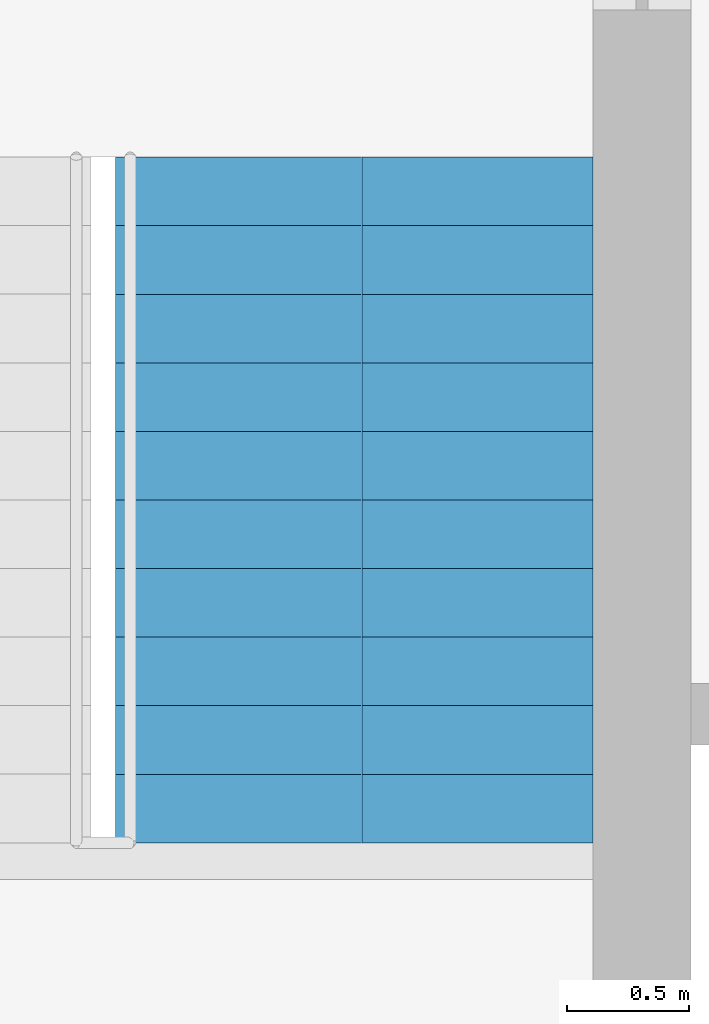
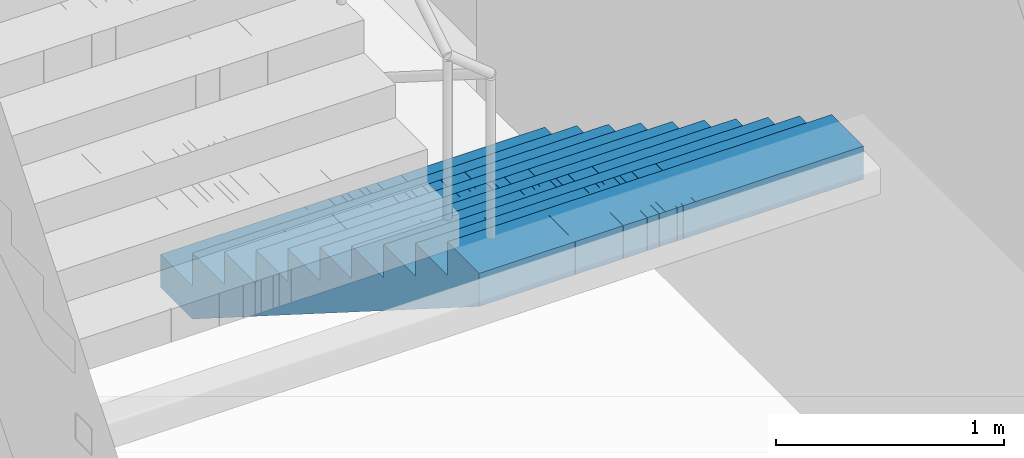
# One storey, part 19 of 20: 1 stair flight, 1 element without a shape of its own.
"""IFC4 building model written with IfcOpenShell, lengths in metres."""

from ifc_helpers import new_model, si_unit, direction, frame, origin, place, context, subcontext, project, spatial, polyline, outline, extrude, material, type_object, element, aggregate, save


model = new_model("IFC4")

# Units and contexts
model_context = context("Model", 3, precision=1e-05, world=origin(), true_north=direction((0.0, 1.0)))
body_context = subcontext(model_context, "Body", "Model", "MODEL_VIEW")
ifc_project = project(units=[si_unit("LENGTHUNIT", "METRE"), si_unit("AREAUNIT", "SQUARE_METRE"), si_unit("VOLUMEUNIT", "CUBIC_METRE"), si_unit("PLANEANGLEUNIT", "RADIAN"), si_unit("MASSUNIT", "GRAM", prefix="KILO")], contexts=[model_context])

# Site, building, storey
site_placement = place(None, origin())
site = spatial("IfcSite", under=ifc_project, at=site_placement, CompositionType="ELEMENT")
building_placement = place(site_placement, origin())
building = spatial("IfcBuilding", under=site, at=building_placement, Name="Mizan Broadcast Tower", CompositionType="ELEMENT")
storey_placement = place(building_placement, frame((0.0, 0.0, 174.89990234375)))
storey = spatial("IfcBuildingStorey", under=building, at=storey_placement, Name="L40", CompositionType="ELEMENT", Elevation=174.89990234375)

# Stair, stair flight
ifc_material_1 = material(Name="Concrete C40/50", Category="concrete")
stair_type = type_object("IfcStairType", Name="EXIT STAIR", PredefinedType="HALF_TURN_STAIR", material=ifc_material_1)
stair_placement = place(storey_placement, origin())
stair = element("IfcStair", 1, at=stair_placement, inside=storey, type_object=stair_type, Name="Stair B L40", PredefinedType="HALF_TURN_STAIR")
ifc_material_2 = material(Name="Concrete C40/50", Category="concrete")
stair_flight_type = type_object("IfcStairFlightType", Name="EXIT STAIR FLIGHT", PredefinedType="STRAIGHT", material=ifc_material_2)
stair_flight_placement = place(storey_placement, frame((1.02490234375, 7.89990234375, 0.0), z_axis=(0.0, 0.0, 1.0), x_axis=(0.0, -1.0, 0.0)))
stair_flight = element("IfcStairFlight", 2, at=stair_flight_placement, type_object=stair_flight_type, Name="B flight 1", NumberOfRisers=11, NumberOfTreads=10, PredefinedType="STRAIGHT", RiserHeight=0.177272727, TreadLength=0.28, context=body_context, shape_type="SweptSolid", body=[
    extrude(outline(polyline([(0.0, 0.0), (0.0, 0.17724609375), (0.280029296875, 0.17724609375), (0.280029296875, 0.3544921875), (0.56005859375, 0.3544921875), (0.56005859375, 0.53173828125), (0.840087890625, 0.53173828125), (0.840087890625, 0.708984375), (1.1201171875, 0.708984375), (1.1201171875, 0.886474609375), (1.39990234375, 0.886474609375), (1.39990234375, 1.063720703125), (1.679931640625, 1.063720703125), (1.679931640625, 1.240966796875), (1.9599609375, 1.240966796875), (1.9599609375, 1.418212890625), (2.239990234375, 1.418212890625), (2.239990234375, 1.595458984375), (2.52001953125, 1.595458984375), (2.52001953125, 1.772705078125), (2.800048828125, 1.772705078125), (2.800048828125, 1.949951171875), (2.800048828125, 1.59521484375), (0.2802734375, 0.0), (0.0, 0.0)])), frame((0.0, 0.97509765625, 0.0), z_axis=(0.0, -1.0, 0.0), x_axis=(1.0, 0.0, 0.0)), (0.0, 0.0, 1.0), 0.4873046875),
    extrude(outline(polyline([(0.0, 0.0), (0.0, 0.17724609375), (0.280029296875, 0.17724609375), (0.280029296875, 0.3544921875), (0.56005859375, 0.3544921875), (0.56005859375, 0.53173828125), (0.840087890625, 0.53173828125), (0.840087890625, 0.708984375), (1.1201171875, 0.708984375), (1.1201171875, 0.886474609375), (1.39990234375, 0.886474609375), (1.39990234375, 1.063720703125), (1.679931640625, 1.063720703125), (1.679931640625, 1.240966796875), (1.9599609375, 1.240966796875), (1.9599609375, 1.418212890625), (2.239990234375, 1.418212890625), (2.239990234375, 1.595458984375), (2.52001953125, 1.595458984375), (2.52001953125, 1.772705078125), (2.800048828125, 1.772705078125), (2.800048828125, 1.949951171875), (2.800048828125, 1.59521484375), (0.2802734375, 0.0), (0.0, 0.0)])), frame((0.0, 0.4873046875, 0.0), z_axis=(0.0, -1.0, 0.0), x_axis=(1.0, 0.0, 0.0)), (0.0, 0.0, 1.0), 0.2431640625),
    extrude(outline(polyline([(0.0, 0.0), (0.0, 0.17724609375), (0.280029296875, 0.17724609375), (0.280029296875, 0.3544921875), (0.56005859375, 0.3544921875), (0.56005859375, 0.53173828125), (0.840087890625, 0.53173828125), (0.840087890625, 0.708984375), (1.1201171875, 0.708984375), (1.1201171875, 0.886474609375), (1.39990234375, 0.886474609375), (1.39990234375, 1.063720703125), (1.679931640625, 1.063720703125), (1.679931640625, 1.240966796875), (1.9599609375, 1.240966796875), (1.9599609375, 1.418212890625), (2.239990234375, 1.418212890625), (2.239990234375, 1.595458984375), (2.52001953125, 1.595458984375), (2.52001953125, 1.772705078125), (2.800048828125, 1.772705078125), (2.800048828125, 1.949951171875), (2.800048828125, 1.59521484375), (0.2802734375, 0.0), (0.0, 0.0)])), frame((0.0, 0.24365234375, 0.0), z_axis=(0.0, -1.0, 0.0), x_axis=(1.0, 0.0, 0.0)), (0.0, 0.0, 1.0), 0.121337890625),
    extrude(outline(polyline([(0.0, 0.0), (0.0, 0.17724609375), (0.280029296875, 0.17724609375), (0.280029296875, 0.3544921875), (0.56005859375, 0.3544921875), (0.56005859375, 0.53173828125), (0.840087890625, 0.53173828125), (0.840087890625, 0.708984375), (1.1201171875, 0.708984375), (1.1201171875, 0.886474609375), (1.39990234375, 0.886474609375), (1.39990234375, 1.063720703125), (1.679931640625, 1.063720703125), (1.679931640625, 1.240966796875), (1.9599609375, 1.240966796875), (1.9599609375, 1.418212890625), (2.239990234375, 1.418212890625), (2.239990234375, 1.595458984375), (2.52001953125, 1.595458984375), (2.52001953125, 1.772705078125), (2.800048828125, 1.772705078125), (2.800048828125, 1.949951171875), (2.800048828125, 1.59521484375), (0.2802734375, 0.0), (0.0, 0.0)])), frame((0.0, 0.121826171875, 0.0), z_axis=(0.0, -1.0, 0.0), x_axis=(1.0, 0.0, 0.0)), (0.0, 0.0, 1.0), 0.060546875),
    extrude(outline(polyline([(0.0, 0.0), (0.0, 0.17724609375), (0.280029296875, 0.17724609375), (0.280029296875, 0.3544921875), (0.56005859375, 0.3544921875), (0.56005859375, 0.53173828125), (0.840087890625, 0.53173828125), (0.840087890625, 0.708984375), (1.1201171875, 0.708984375), (1.1201171875, 0.886474609375), (1.39990234375, 0.886474609375), (1.39990234375, 1.063720703125), (1.679931640625, 1.063720703125), (1.679931640625, 1.240966796875), (1.9599609375, 1.240966796875), (1.9599609375, 1.418212890625), (2.239990234375, 1.418212890625), (2.239990234375, 1.595458984375), (2.52001953125, 1.595458984375), (2.52001953125, 1.772705078125), (2.800048828125, 1.772705078125), (2.800048828125, 1.949951171875), (2.800048828125, 1.59521484375), (0.2802734375, 0.0), (0.0, 0.0)])), frame((0.0, 0.060791015625, 0.0), z_axis=(0.0, -1.0, 0.0), x_axis=(1.0, 0.0, 0.0)), (0.0, 0.0, 1.0), 0.030029296875),
    extrude(outline(polyline([(0.0, 0.0), (0.0, 0.17724609375), (0.280029296875, 0.17724609375), (0.280029296875, 0.3544921875), (0.56005859375, 0.3544921875), (0.56005859375, 0.53173828125), (0.840087890625, 0.53173828125), (0.840087890625, 0.708984375), (1.1201171875, 0.708984375), (1.1201171875, 0.886474609375), (1.39990234375, 0.886474609375), (1.39990234375, 1.063720703125), (1.679931640625, 1.063720703125), (1.679931640625, 1.240966796875), (1.9599609375, 1.240966796875), (1.9599609375, 1.418212890625), (2.239990234375, 1.418212890625), (2.239990234375, 1.595458984375), (2.52001953125, 1.595458984375), (2.52001953125, 1.772705078125), (2.800048828125, 1.772705078125), (2.800048828125, 1.949951171875), (2.800048828125, 1.59521484375), (0.2802734375, 0.0), (0.0, 0.0)])), frame((0.0, 0.0302734375, 0.0), z_axis=(0.0, -1.0, 0.0), x_axis=(1.0, 0.0, 0.0)), (0.0, 0.0, 1.0), 0.060302734375),
    extrude(outline(polyline([(0.0, 0.0), (0.0, 0.17724609375), (0.280029296875, 0.17724609375), (0.280029296875, 0.3544921875), (0.56005859375, 0.3544921875), (0.56005859375, 0.53173828125), (0.840087890625, 0.53173828125), (0.840087890625, 0.708984375), (1.1201171875, 0.708984375), (1.1201171875, 0.886474609375), (1.39990234375, 0.886474609375), (1.39990234375, 1.063720703125), (1.679931640625, 1.063720703125), (1.679931640625, 1.240966796875), (1.9599609375, 1.240966796875), (1.9599609375, 1.418212890625), (2.239990234375, 1.418212890625), (2.239990234375, 1.595458984375), (2.52001953125, 1.595458984375), (2.52001953125, 1.772705078125), (2.800048828125, 1.772705078125), (2.800048828125, 1.949951171875), (2.800048828125, 1.59521484375), (0.2802734375, 0.0), (0.0, 0.0)])), frame((0.0, -0.030517578125, 0.0), z_axis=(0.0, -1.0, 0.0), x_axis=(1.0, 0.0, 0.0)), (0.0, 0.0, 1.0), 0.030029296875),
    extrude(outline(polyline([(0.0, 0.0), (0.0, 0.17724609375), (0.280029296875, 0.17724609375), (0.280029296875, 0.3544921875), (0.56005859375, 0.3544921875), (0.56005859375, 0.53173828125), (0.840087890625, 0.53173828125), (0.840087890625, 0.708984375), (1.1201171875, 0.708984375), (1.1201171875, 0.886474609375), (1.39990234375, 0.886474609375), (1.39990234375, 1.063720703125), (1.679931640625, 1.063720703125), (1.679931640625, 1.240966796875), (1.9599609375, 1.240966796875), (1.9599609375, 1.418212890625), (2.239990234375, 1.418212890625), (2.239990234375, 1.595458984375), (2.52001953125, 1.595458984375), (2.52001953125, 1.772705078125), (2.800048828125, 1.772705078125), (2.800048828125, 1.949951171875), (2.800048828125, 1.59521484375), (0.2802734375, 0.0), (0.0, 0.0)])), frame((0.0, -0.06103515625, 0.0), z_axis=(0.0, -1.0, 0.0), x_axis=(1.0, 0.0, 0.0)), (0.0, 0.0, 1.0), 0.060546875),
    extrude(outline(polyline([(0.0, 0.0), (0.0, 0.17724609375), (0.280029296875, 0.17724609375), (0.280029296875, 0.3544921875), (0.56005859375, 0.3544921875), (0.56005859375, 0.53173828125), (0.840087890625, 0.53173828125), (0.840087890625, 0.708984375), (1.1201171875, 0.708984375), (1.1201171875, 0.886474609375), (1.39990234375, 0.886474609375), (1.39990234375, 1.063720703125), (1.679931640625, 1.063720703125), (1.679931640625, 1.240966796875), (1.9599609375, 1.240966796875), (1.9599609375, 1.418212890625), (2.239990234375, 1.418212890625), (2.239990234375, 1.595458984375), (2.52001953125, 1.595458984375), (2.52001953125, 1.772705078125), (2.800048828125, 1.772705078125), (2.800048828125, 1.949951171875), (2.800048828125, 1.59521484375), (0.2802734375, 0.0), (0.0, 0.0)])), frame((0.0, -0.1220703125, 0.0), z_axis=(0.0, -1.0, 0.0), x_axis=(1.0, 0.0, 0.0)), (0.0, 0.0, 1.0), 0.121337890625),
    extrude(outline(polyline([(0.0, 0.0), (0.0, 0.17724609375), (0.280029296875, 0.17724609375), (0.280029296875, 0.3544921875), (0.56005859375, 0.3544921875), (0.56005859375, 0.53173828125), (0.840087890625, 0.53173828125), (0.840087890625, 0.708984375), (1.1201171875, 0.708984375), (1.1201171875, 0.886474609375), (1.39990234375, 0.886474609375), (1.39990234375, 1.063720703125), (1.679931640625, 1.063720703125), (1.679931640625, 1.240966796875), (1.9599609375, 1.240966796875), (1.9599609375, 1.418212890625), (2.239990234375, 1.418212890625), (2.239990234375, 1.595458984375), (2.52001953125, 1.595458984375), (2.52001953125, 1.772705078125), (2.800048828125, 1.772705078125), (2.800048828125, 1.949951171875), (2.800048828125, 1.59521484375), (0.2802734375, 0.0), (0.0, 0.0)])), frame((0.0, -0.243896484375, 0.0), z_axis=(0.0, -1.0, 0.0), x_axis=(1.0, 0.0, 0.0)), (0.0, 0.0, 1.0), 0.2431640625),
    extrude(outline(polyline([(0.0, 0.0), (0.0, 0.17724609375), (0.280029296875, 0.17724609375), (0.280029296875, 0.3544921875), (0.56005859375, 0.3544921875), (0.56005859375, 0.53173828125), (0.840087890625, 0.53173828125), (0.840087890625, 0.708984375), (1.1201171875, 0.708984375), (1.1201171875, 0.886474609375), (1.39990234375, 0.886474609375), (1.39990234375, 1.063720703125), (1.679931640625, 1.063720703125), (1.679931640625, 1.240966796875), (1.9599609375, 1.240966796875), (1.9599609375, 1.418212890625), (2.239990234375, 1.418212890625), (2.239990234375, 1.595458984375), (2.52001953125, 1.595458984375), (2.52001953125, 1.772705078125), (2.800048828125, 1.772705078125), (2.800048828125, 1.949951171875), (2.800048828125, 1.59521484375), (0.2802734375, 0.0), (0.0, 0.0)])), frame((0.0, -0.487548828125, 0.0), z_axis=(0.0, -1.0, 0.0), x_axis=(1.0, 0.0, 0.0)), (0.0, 0.0, 1.0), 0.4873046875),
])
aggregate(stair, [stair_flight])

save(model, "model.ifc")
